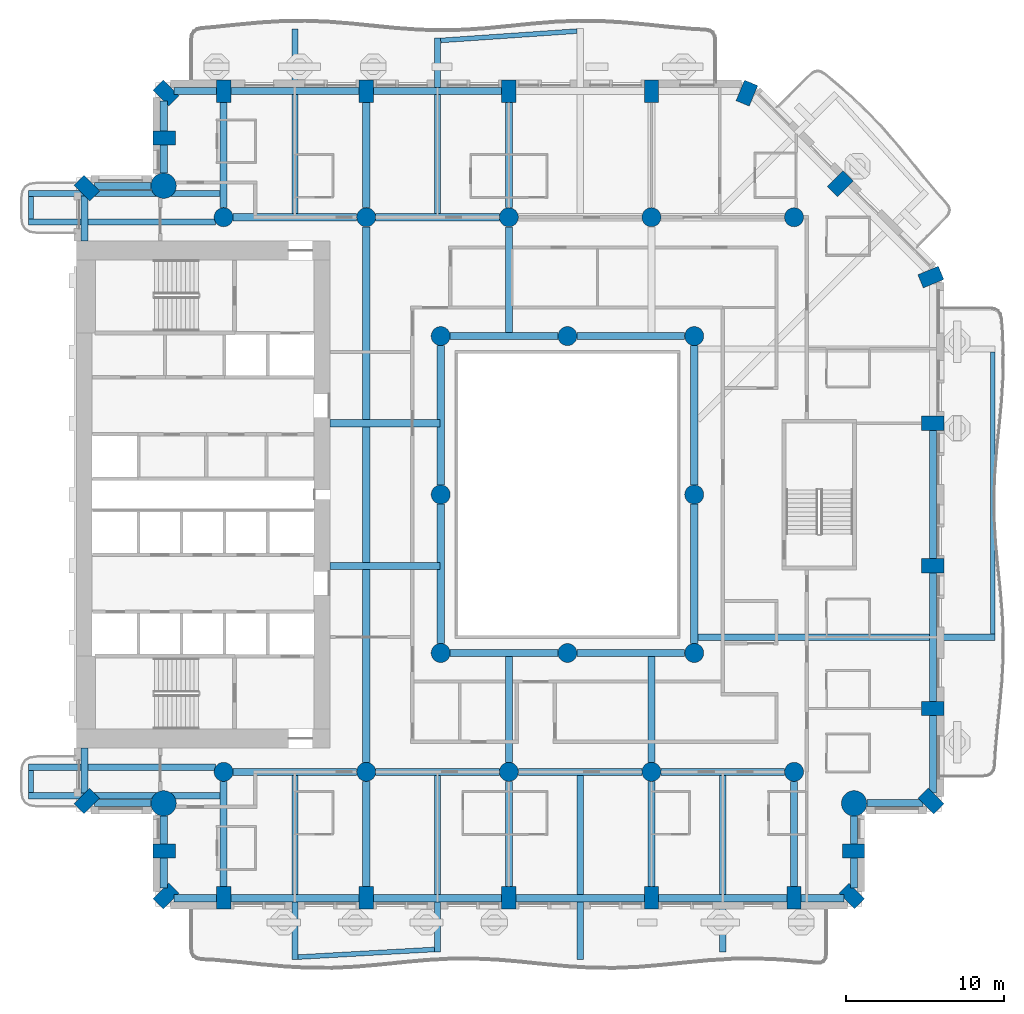
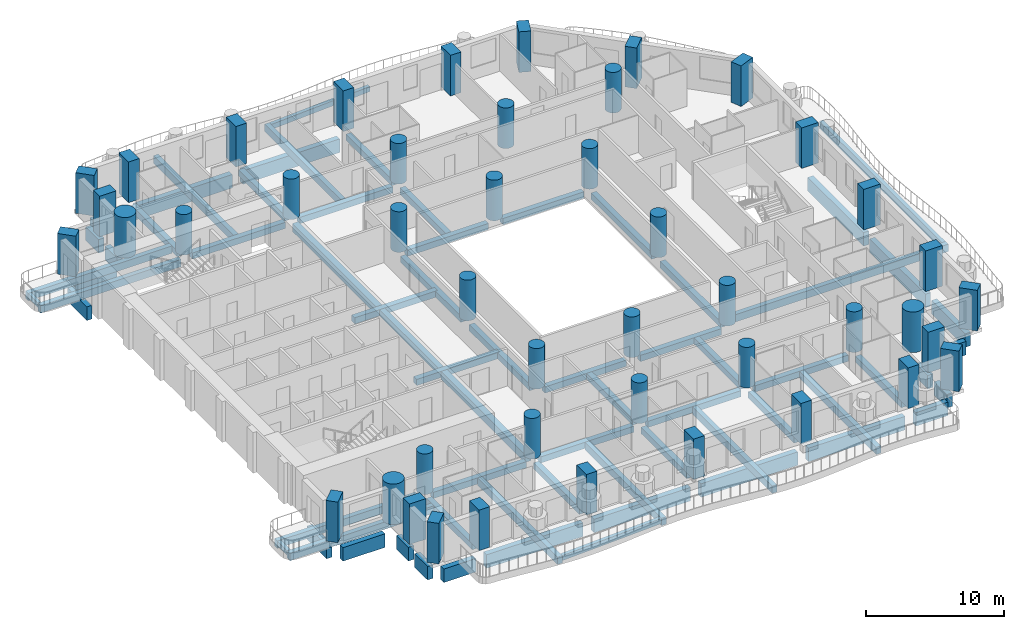
# One storey, part 1 of 20: 69 beams, 45 columns.
"""IFC4 building model written with IfcOpenShell, lengths in metres."""

from ifc_helpers import new_model, si_unit, direction, frame, origin, origin_2d, place, context, subcontext, project, spatial, rectangle, circle, extrude, material, material_profile, profile_set, type_object, element, save


model = new_model("IFC4")

# Units and contexts
model_context = context("Model", 3, precision=1e-05, world=origin(), true_north=direction((0.0, 1.0)))
body_context = subcontext(model_context, "Body", "Model", "MODEL_VIEW")
ifc_project = project(units=[si_unit("LENGTHUNIT", "METRE"), si_unit("AREAUNIT", "SQUARE_METRE"), si_unit("VOLUMEUNIT", "CUBIC_METRE"), si_unit("PLANEANGLEUNIT", "RADIAN"), si_unit("MASSUNIT", "GRAM", prefix="KILO")], contexts=[model_context])

# Site, building, storey
site_placement = place(None, origin())
site = spatial("IfcSite", under=ifc_project, at=site_placement, CompositionType="ELEMENT")
building_placement = place(site_placement, origin())
building = spatial("IfcBuilding", under=site, at=building_placement, Name="Cypress Arch Tower", CompositionType="ELEMENT")
storey_placement = place(building_placement, frame((0.0, 0.0, 87.89990234375)))
storey = spatial("IfcBuildingStorey", under=building, at=storey_placement, Name="L16", CompositionType="ELEMENT", Elevation=87.89990234375)

# Columns
ifc_material_1 = material(Name="Concrete C80/95", Category="concrete")
ifc_material_profile_1 = material_profile(ifc_material_1, rectangle(XDim=0.89990234375, YDim=1.39990234375, at=origin_2d()), Name="RC 900x1400")
ifc_profile_set_1 = profile_set([ifc_material_profile_1], Name="Concrete C80/95")
column_type_1 = type_object("IfcColumnType", Name="Column RC 900x1400 Concrete C80/95", PredefinedType="COLUMN", material=ifc_profile_set_1)
for number, where, z_axis, x_axis, name in (
    (1, (-29.3369140625, 19.3369140625, 0.0), (0.0, 0.0, 1.0), (-0.707106781187, -0.707106781187, 0.0), "Column L16 CA00"),
    (2, (-29.3369140625, -19.3369140625, 0.0), (0.0, 0.0, 1.0), (0.707106781187, -0.707106781187, 0.0), "Column L16 CA01"),
    (3, (-24.449951171875, -22.5, 0.0), (0.0, 0.0, 1.0), (0.0, -1.0, 0.0), "Column L16 CA03"),
    (4, (-24.3369140625, -25.3369140625, 0.0), (0.0, 0.0, 1.0), (0.707106781187, -0.707106781187, 0.0), "Column L16 CA04"),
    (5, (-20.699951171875, -25.449951171875, 0.0), (0.0, 0.0, 1.0), (1.0, 0.0, 0.0), "Column L16 CA05"),
    (6, (-11.699951171875, -25.449951171875, 0.0), (0.0, 0.0, 1.0), (1.0, 0.0, 0.0), "Column L16 CA06"),
    (7, (-2.699951171875, -25.449951171875, 0.0), (0.0, 0.0, 1.0), (1.0, 0.0, 0.0), "Column L16 CA07"),
    (8, (6.300048828125, -25.449951171875, 0.0), (0.0, 0.0, 1.0), (1.0, 0.0, 0.0), "Column L16 CA08"),
    (9, (15.300048828125, -25.449951171875, 0.0), (0.0, 0.0, 1.0), (1.0, 0.0, 0.0), "Column L16 CA09"),
    (10, (18.936767578125, -25.3369140625, 0.0), (0.0, 0.0, 1.0), (0.707106781187, 0.707106781187, 0.0), "Column L16 CA10"),
    (11, (19.050048828125, -22.5, 0.0), (0.0, 0.0, 1.0), (0.0, 1.0, 0.0), "Column L16 CA11"),
    (12, (23.936767578125, -19.3369140625, 0.0), (0.0, 0.0, 1.0), (0.707106781187, 0.707106781187, 0.0), "Column L16 CA13"),
    (13, (24.050048828125, -13.5, 0.0), (0.0, 0.0, 1.0), (0.0, 1.0, 0.0), "Column L16 CA14"),
    (14, (24.050048828125, -4.5, 0.0), (0.0, 0.0, 1.0), (0.0, 1.0, 0.0), "Column L16 CA15"),
    (15, (24.050048828125, 4.5, 0.0), (0.0, 0.0, 1.0), (0.0, 1.0, 0.0), "Column L16 CA16"),
    (16, (23.93115234375, 13.722900390625, 0.0), (0.0, 0.0, 1.0), (-0.382683496864, 0.923879505795, 0.0), "Column L16 CA17"),
    (17, (18.211181640625, 19.611083984375, 0.0), (0.0, 0.0, 1.0), (-0.707106781187, 0.707106781187, 0.0), "Column L16 CA18"),
    (18, (12.322998046875, 25.3310546875, 0.0), (0.0, 0.0, 1.0), (-0.923879505795, 0.382683496864, 0.0), "Column L16 CA19"),
    (19, (6.300048828125, 25.449951171875, 0.0), (0.0, 0.0, 1.0), (-1.0, 0.0, 0.0), "Column L16 CA20"),
    (20, (-2.699951171875, 25.449951171875, 0.0), (0.0, 0.0, 1.0), (-1.0, 0.0, 0.0), "Column L16 CA21"),
    (21, (-11.699951171875, 25.449951171875, 0.0), (0.0, 0.0, 1.0), (-1.0, 0.0, 0.0), "Column L16 CA22"),
    (22, (-20.699951171875, 25.449951171875, 0.0), (0.0, 0.0, 1.0), (-1.0, 0.0, 0.0), "Column L16 CA23"),
    (23, (-24.3369140625, 25.3369140625, 0.0), (0.0, 0.0, 1.0), (-0.707106781187, -0.707106781187, 0.0), "Column L16 CA24"),
    (24, (-24.449951171875, 22.5, 0.0), (0.0, 0.0, 1.0), (0.0, -1.0, 0.0), "Column L16 CA25"),
):
    element("IfcColumn", number, at=place(storey_placement, frame(where, z_axis=z_axis, x_axis=x_axis)), inside=storey, type_object=column_type_1, Name=name, PredefinedType="COLUMN", context=body_context, shape_type="SweptSolid", body=[
        extrude(rectangle(XDim=0.89990234375, YDim=1.39990234375, at=origin_2d()), origin(), (0.0, 0.0, 1.0), 3.60009765625),
    ])
ifc_material_2 = material(Name="Concrete C80/95", Category="concrete")
ifc_material_profile_2 = material_profile(ifc_material_2, circle(Radius=0.60009765625, at=origin_2d()), Name="RC D1200")
ifc_profile_set_2 = profile_set([ifc_material_profile_2], Name="Concrete C80/95")
column_type_2 = type_object("IfcColumnType", Name="Column RC D1200 Concrete C80/95", PredefinedType="COLUMN", material=ifc_profile_set_2)
for number, where, z_axis, x_axis, name in (
    (25, (-20.699951171875, -17.5, 0.0), (0.0, 0.0, 1.0), (1.0, 0.0, 0.0), "Column L16 CIC-L16-CI3S"),
    (26, (-11.699951171875, -17.5, 0.0), (0.0, 0.0, 1.0), (1.0, 0.0, 0.0), "Column L16 CIC-L16-CI4S"),
    (27, (-2.699951171875, -17.5, 0.0), (0.0, 0.0, 1.0), (1.0, 0.0, 0.0), "Column L16 CIC-L16-CI5S"),
    (28, (6.300048828125, -17.5, 0.0), (0.0, 0.0, 1.0), (1.0, 0.0, 0.0), "Column L16 CIC-L16-CI6S"),
    (29, (15.300048828125, -17.5, 0.0), (0.0, 0.0, 1.0), (1.0, 0.0, 0.0), "Column L16 CIC-L16-CI7S"),
    (30, (-20.699951171875, 17.5, 0.0), (0.0, 0.0, 1.0), (1.0, 0.0, 0.0), "Column L16 CIC-L16-CI3N"),
    (31, (-11.699951171875, 17.5, 0.0), (0.0, 0.0, 1.0), (1.0, 0.0, 0.0), "Column L16 CIC-L16-CI4N"),
    (32, (-2.699951171875, 17.5, 0.0), (0.0, 0.0, 1.0), (1.0, 0.0, 0.0), "Column L16 CIC-L16-CI5N"),
    (33, (6.300048828125, 17.5, 0.0), (0.0, 0.0, 1.0), (1.0, 0.0, 0.0), "Column L16 CIC-L16-CI6N"),
    (34, (15.300048828125, 17.5, 0.0), (0.0, 0.0, 1.0), (1.0, 0.0, 0.0), "Column L16 CIC-L16-CI7N"),
    (35, (-7.0, -10.0, 0.0), (0.0, 0.0, 1.0), (1.0, 0.0, 0.0), "Column L16 RNG-L16-G-7-10"),
    (36, (-7.0, 0.0, 0.0), (0.0, 0.0, 1.0), (1.0, 0.0, 0.0), "Column L16 RNG-L16-G-7+0"),
    (37, (-7.0, 10.0, 0.0), (0.0, 0.0, 1.0), (1.0, 0.0, 0.0), "Column L16 RNG-L16-G-7+10"),
    (38, (1.0, -10.0, 0.0), (0.0, 0.0, 1.0), (1.0, 0.0, 0.0), "Column L16 RNG-L16-G+1-10"),
    (39, (1.0, 10.0, 0.0), (0.0, 0.0, 1.0), (1.0, 0.0, 0.0), "Column L16 RNG-L16-G+1+10"),
    (40, (9.0, -10.0, 0.0), (0.0, 0.0, 1.0), (1.0, 0.0, 0.0), "Column L16 RNG-L16-G+9-10"),
    (41, (9.0, 0.0, 0.0), (0.0, 0.0, 1.0), (1.0, 0.0, 0.0), "Column L16 RNG-L16-G+9+0"),
    (42, (9.0, 10.0, 0.0), (0.0, 0.0, 1.0), (1.0, 0.0, 0.0), "Column L16 RNG-L16-G+9+10"),
):
    element("IfcColumn", number, at=place(storey_placement, frame(where, z_axis=z_axis, x_axis=x_axis)), inside=storey, type_object=column_type_2, Name=name, PredefinedType="COLUMN", context=body_context, shape_type="SweptSolid", body=[
        extrude(circle(Radius=0.60009765625, at=origin_2d()), origin(), (0.0, 0.0, 1.0), 3.60009765625),
    ])
ifc_material_3 = material(Name="Concrete C80/95", Category="concrete")
ifc_material_profile_3 = material_profile(ifc_material_3, circle(Radius=0.800048828125, at=origin_2d()), Name="RC D1600")
ifc_profile_set_3 = profile_set([ifc_material_profile_3], Name="Concrete C80/95")
column_type_3 = type_object("IfcColumnType", Name="Mega-column RC D1600 Concrete C80/95", PredefinedType="COLUMN", material=ifc_profile_set_3)
for number, where, z_axis, x_axis, name in (
    (43, (-24.48779296875, -19.48779296875, 0.0), (0.0, 0.0, 1.0), (1.0, 0.0, 0.0), "Column L16 CA02"),
    (44, (19.087890625, -19.48779296875, 0.0), (0.0, 0.0, 1.0), (1.0, 0.0, 0.0), "Column L16 CA12"),
    (45, (-24.48779296875, 19.48779296875, 0.0), (0.0, 0.0, 1.0), (1.0, 0.0, 0.0), "Column L16 CA26"),
):
    element("IfcColumn", number, at=place(storey_placement, frame(where, z_axis=z_axis, x_axis=x_axis)), inside=storey, type_object=column_type_3, Name=name, PredefinedType="COLUMN", context=body_context, shape_type="SweptSolid", body=[
        extrude(circle(Radius=0.800048828125, at=origin_2d()), origin(), (0.0, 0.0, 1.0), 3.60009765625),
    ])

# Beams
ifc_material_4 = material(Name="Concrete C50/60", Category="concrete")
ifc_material_profile_4 = material_profile(ifc_material_4, rectangle(XDim=0.300048828125, YDim=0.449951171875, at=origin_2d()), Name="RC 300x450")
ifc_profile_set_4 = profile_set([ifc_material_profile_4], Name="Concrete C50/60")
beam_type_1 = type_object("IfcBeamType", Name="Balcony edge beam RC 300x450 Concrete C50/60", PredefinedType="BEAM", material=ifc_profile_set_4)
beam_1_placement = place(storey_placement, frame((-16.0, -29.1904296875, -0.52490234375), z_axis=(0.998441457852, 0.055809096421, 0.0), x_axis=(-0.055809096421, 0.998441457852, 0.0)))
element("IfcBeam", 46, at=beam_1_placement, inside=storey, type_object=beam_type_1, Name="Balcony edge beam L16 A03", PredefinedType="BEAM", context=body_context, shape_type="SweptSolid", body=[
    extrude(rectangle(XDim=0.300048828125, YDim=0.449951171875, at=origin_2d()), origin(), (0.0, 0.0, 1.0), 8.613525390625),
])
beam_2_placement = place(storey_placement, frame((1.60009765625, 29.246337890625, -0.52490234375), z_axis=(-0.997663993213, -0.068312199842, 0.0), x_axis=(0.068312199842, -0.997663993213, 0.0)))
element("IfcBeam", 47, at=beam_2_placement, inside=storey, type_object=beam_type_1, Name="Balcony edge beam L16 A08", PredefinedType="BEAM", context=body_context, shape_type="SweptSolid", body=[
    extrude(rectangle(XDim=0.300048828125, YDim=0.449951171875, at=origin_2d()), origin(), (0.0, 0.0, 1.0), 8.6201171875),
])
ifc_material_5 = material(Name="Concrete C50/60", Category="concrete")
ifc_material_profile_5 = material_profile(ifc_material_5, rectangle(XDim=0.300048828125, YDim=0.64990234375, at=origin_2d()), Name="RC 300x650")
ifc_profile_set_5 = profile_set([ifc_material_profile_5], Name="Concrete C50/60")
beam_type_2 = type_object("IfcBeamType", Name="Balcony edge beam RC 300x650 Concrete C50/60", PredefinedType="BEAM", material=ifc_profile_set_5)
beam_3_placement = place(storey_placement, frame((27.843017578125, -8.800048828125, -0.625), z_axis=(-0.000494104992, 0.99999987793, 0.0), x_axis=(-0.99999987793, -0.000494104992, 0.0)))
element("IfcBeam", 48, at=beam_3_placement, inside=storey, type_object=beam_type_2, Name="Balcony edge beam L16 A06", PredefinedType="BEAM", context=body_context, shape_type="SweptSolid", body=[
    extrude(rectangle(XDim=0.300048828125, YDim=0.64990234375, at=origin_2d()), origin(), (0.0, 0.0, 1.0), 17.787841796875),
])
ifc_material_6 = material(Name="Concrete C50/60", Category="concrete")
ifc_material_profile_6 = material_profile(ifc_material_6, rectangle(XDim=0.300048828125, YDim=0.39990234375, at=origin_2d()), Name="RC 300x400")
ifc_profile_set_6 = profile_set([ifc_material_profile_6], Name="Concrete C50/60")
beam_type_3 = type_object("IfcBeamType", Name="Balcony stub beam RC 300x400 Concrete C50/60", PredefinedType="BEAM", material=ifc_profile_set_6)
for number, where, z_axis, x_axis, name in (
    (49, (-32.85009765625, 18.800048828125, -0.5), (0.0, -1.0, 0.0), (1.0, 0.0, 0.0), "Balcony stub beam L16 A00W0"),
    (50, (-32.85009765625, -17.39990234375, -0.5), (0.0, -1.0, 0.0), (1.0, 0.0, 0.0), "Balcony stub beam L16 A00W1"),
):
    element("IfcBeam", number, at=place(storey_placement, frame(where, z_axis=z_axis, x_axis=x_axis)), inside=storey, type_object=beam_type_3, Name=name, PredefinedType="BEAM", context=body_context, shape_type="SweptSolid", body=[
        extrude(rectangle(XDim=0.300048828125, YDim=0.39990234375, at=origin_2d()), origin(), (0.0, 0.0, 1.0), 1.400146484375),
    ])
ifc_material_7 = material(Name="Concrete C50/60", Category="concrete")
ifc_material_profile_7 = material_profile(ifc_material_7, rectangle(XDim=0.39990234375, YDim=0.64990234375, at=origin_2d()), Name="RC 400x650")
ifc_profile_set_7 = profile_set([ifc_material_profile_7], Name="Concrete C50/60")
beam_type_4 = type_object("IfcBeamType", Name="Cantilever beam RC 400x650 Concrete C50/60", PredefinedType="BEAM", material=ifc_profile_set_7)
beam_4_placement = place(storey_placement, frame((-20.925048828125, 19.0, -0.625), z_axis=(-1.0, 0.0, 0.0), x_axis=(0.0, -1.0, 0.0)))
element("IfcBeam", 51, at=beam_4_placement, inside=storey, type_object=beam_type_4, Name="Cantilever beam L16 A00 1", PredefinedType="BEAM", context=body_context, shape_type="SweptSolid", body=[
    extrude(rectangle(XDim=0.39990234375, YDim=0.64990234375, at=origin_2d()), origin(), (0.0, 0.0, 1.0), 12.074951171875),
])
for number, where, z_axis, x_axis, name in (
    (52, (-21.219482421875, 17.199951171875, -0.625), (-1.0, 0.0, 0.0), (0.0, -1.0, 0.0), "Cantilever beam L16 A00 2"),
    (53, (-21.219482421875, -17.199951171875, -0.625), (-1.0, 0.0, 0.0), (0.0, -1.0, 0.0), "Cantilever beam L16 A00 1"),
):
    element("IfcBeam", number, at=place(storey_placement, frame(where, z_axis=z_axis, x_axis=x_axis)), inside=storey, type_object=beam_type_4, Name=name, PredefinedType="BEAM", context=body_context, shape_type="SweptSolid", body=[
        extrude(rectangle(XDim=0.39990234375, YDim=0.64990234375, at=origin_2d()), origin(), (0.0, 0.0, 1.0), 11.780517578125),
    ])
beam_5_placement = place(storey_placement, frame((-20.925048828125, -19.0, -0.625), z_axis=(-1.0, 0.0, 0.0), x_axis=(0.0, -1.0, 0.0)))
element("IfcBeam", 54, at=beam_5_placement, inside=storey, type_object=beam_type_4, Name="Cantilever beam L16 A00 2", PredefinedType="BEAM", context=body_context, shape_type="SweptSolid", body=[
    extrude(rectangle(XDim=0.39990234375, YDim=0.64990234375, at=origin_2d()), origin(), (0.0, 0.0, 1.0), 12.074951171875),
])
beam_6_placement = place(storey_placement, frame((-16.199951171875, -17.72509765625, -0.625), z_axis=(0.0, -1.0, 0.0), x_axis=(1.0, 0.0, 0.0)))
element("IfcBeam", 55, at=beam_6_placement, inside=storey, type_object=beam_type_4, Name="Cantilever beam L16 A03 1", PredefinedType="BEAM", context=body_context, shape_type="SweptSolid", body=[
    extrude(rectangle(XDim=0.39990234375, YDim=0.64990234375, at=origin_2d()), origin(), (0.0, 0.0, 1.0), 11.615478515625),
])
beam_7_placement = place(storey_placement, frame((-7.199951171875, -17.72509765625, -0.625), z_axis=(0.0, -1.0, 0.0), x_axis=(1.0, 0.0, 0.0)))
element("IfcBeam", 56, at=beam_7_placement, inside=storey, type_object=beam_type_4, Name="Cantilever beam L16 A03 2", PredefinedType="BEAM", context=body_context, shape_type="SweptSolid", body=[
    extrude(rectangle(XDim=0.39990234375, YDim=0.64990234375, at=origin_2d()), origin(), (0.0, 0.0, 1.0), 11.134521484375),
])
beam_8_placement = place(storey_placement, frame((1.800048828125, -17.72509765625, -0.625), z_axis=(0.0, -1.0, 0.0), x_axis=(1.0, 0.0, 0.0)))
element("IfcBeam", 57, at=beam_8_placement, inside=storey, type_object=beam_type_4, Name="Cantilever beam L16 A03 3", PredefinedType="BEAM", context=body_context, shape_type="SweptSolid", body=[
    extrude(rectangle(XDim=0.39990234375, YDim=0.64990234375, at=origin_2d()), origin(), (0.0, 0.0, 1.0), 11.615478515625),
])
beam_9_placement = place(storey_placement, frame((10.800048828125, -17.72509765625, -0.625), z_axis=(0.0, -1.0, 0.0), x_axis=(1.0, 0.0, 0.0)))
element("IfcBeam", 58, at=beam_9_placement, inside=storey, type_object=beam_type_4, Name="Cantilever beam L16 A03 4", PredefinedType="BEAM", context=body_context, shape_type="SweptSolid", body=[
    extrude(rectangle(XDim=0.39990234375, YDim=0.64990234375, at=origin_2d()), origin(), (0.0, 0.0, 1.0), 11.134033203125),
])
beam_10_placement = place(storey_placement, frame((9.22509765625, -9.0, -0.625), z_axis=(1.0, 0.0, 0.0), x_axis=(0.0, 1.0, 0.0)))
element("IfcBeam", 59, at=beam_10_placement, inside=storey, type_object=beam_type_4, Name="Cantilever beam L16 A06 1", PredefinedType="BEAM", context=body_context, shape_type="SweptSolid", body=[
    extrude(rectangle(XDim=0.39990234375, YDim=0.64990234375, at=origin_2d()), origin(), (0.0, 0.0, 1.0), 18.767822265625),
])
beam_11_placement = place(storey_placement, frame((-7.199951171875, 17.72509765625, -0.625), z_axis=(0.0, 1.0, 0.0), x_axis=(-1.0, 0.0, 0.0)))
element("IfcBeam", 60, at=beam_11_placement, inside=storey, type_object=beam_type_4, Name="Cantilever beam L16 A08 2", PredefinedType="BEAM", context=body_context, shape_type="SweptSolid", body=[
    extrude(rectangle(XDim=0.39990234375, YDim=0.64990234375, at=origin_2d()), origin(), (0.0, 0.0, 1.0), 11.082275390625),
])
beam_12_placement = place(storey_placement, frame((-16.199951171875, 17.72509765625, -0.625), z_axis=(0.0, 1.0, 0.0), x_axis=(-1.0, 0.0, 0.0)))
element("IfcBeam", 61, at=beam_12_placement, inside=storey, type_object=beam_type_4, Name="Cantilever beam L16 A08 3", PredefinedType="BEAM", context=body_context, shape_type="SweptSolid", body=[
    extrude(rectangle(XDim=0.39990234375, YDim=0.64990234375, at=origin_2d()), origin(), (0.0, 0.0, 1.0), 11.6640625),
])
ifc_material_8 = material(Name="Concrete C50/60", Category="concrete")
ifc_material_profile_8 = material_profile(ifc_material_8, rectangle(XDim=0.449951171875, YDim=0.550048828125, at=origin_2d()), Name="RC 450x550")
ifc_profile_set_8 = profile_set([ifc_material_profile_8], Name="Concrete C50/60")
beam_type_5 = type_object("IfcBeamType", Name="Floor beam RC 450x550 Concrete C50/60", PredefinedType="BEAM", material=ifc_profile_set_8)
for number, where, z_axis, x_axis, name in (
    (62, (-7.0, -9.39990234375, -0.574951171875), (0.0, 1.0, 0.0), (-1.0, 0.0, 0.0), "Floor beam L16 RB001"),
    (63, (-7.0, 0.60009765625, -0.574951171875), (0.0, 1.0, 0.0), (-1.0, 0.0, 0.0), "Floor beam L16 RB002"),
    (64, (9.0, -9.39990234375, -0.574951171875), (0.0, 1.0, 0.0), (-1.0, 0.0, 0.0), "Floor beam L16 RB003"),
    (65, (9.0, 0.60009765625, -0.574951171875), (0.0, 1.0, 0.0), (-1.0, 0.0, 0.0), "Floor beam L16 RB004"),
):
    element("IfcBeam", number, at=place(storey_placement, frame(where, z_axis=z_axis, x_axis=x_axis)), inside=storey, type_object=beam_type_5, Name=name, PredefinedType="BEAM", context=body_context, shape_type="SweptSolid", body=[
        extrude(rectangle(XDim=0.449951171875, YDim=0.550048828125, at=origin_2d()), origin(), (0.0, 0.0, 1.0), 8.7998046875),
    ])
for number, where, z_axis, x_axis, name in (
    (66, (-6.39990234375, -10.0, -0.574951171875), (1.0, 0.0, 0.0), (0.0, 1.0, 0.0), "Floor beam L16 RB005"),
    (67, (1.60009765625, -10.0, -0.574951171875), (1.0, 0.0, 0.0), (0.0, 1.0, 0.0), "Floor beam L16 RB006"),
    (68, (-6.39990234375, 10.0, -0.574951171875), (1.0, 0.0, 0.0), (0.0, 1.0, 0.0), "Floor beam L16 RB007"),
    (69, (1.60009765625, 10.0, -0.574951171875), (1.0, 0.0, 0.0), (0.0, 1.0, 0.0), "Floor beam L16 RB008"),
):
    element("IfcBeam", number, at=place(storey_placement, frame(where, z_axis=z_axis, x_axis=x_axis)), inside=storey, type_object=beam_type_5, Name=name, PredefinedType="BEAM", context=body_context, shape_type="SweptSolid", body=[
        extrude(rectangle(XDim=0.449951171875, YDim=0.550048828125, at=origin_2d()), origin(), (0.0, 0.0, 1.0), 6.7998046875),
    ])
for number, where, z_axis, x_axis, name in (
    (70, (-20.10009765625, -17.5, -0.574951171875), (1.0, 0.0, 0.0), (0.0, 1.0, 0.0), "Floor beam L16 FB009"),
    (71, (-11.10009765625, -17.5, -0.574951171875), (1.0, 0.0, 0.0), (0.0, 1.0, 0.0), "Floor beam L16 FB010"),
    (72, (-2.10009765625, -17.5, -0.574951171875), (1.0, 0.0, 0.0), (0.0, 1.0, 0.0), "Floor beam L16 FB011"),
    (73, (6.89990234375, -17.5, -0.574951171875), (1.0, 0.0, 0.0), (0.0, 1.0, 0.0), "Floor beam L16 FB012"),
):
    element("IfcBeam", number, at=place(storey_placement, frame(where, z_axis=z_axis, x_axis=x_axis)), inside=storey, type_object=beam_type_5, Name=name, PredefinedType="BEAM", context=body_context, shape_type="SweptSolid", body=[
        extrude(rectangle(XDim=0.449951171875, YDim=0.550048828125, at=origin_2d()), origin(), (0.0, 0.0, 1.0), 7.800048828125),
    ])
for number, where, z_axis, x_axis, name in (
    (74, (-14.0, -4.5, -0.574951171875), (1.0, 0.0, 0.0), (0.0, 1.0, 0.0), "Floor beam L16 FB013"),
    (75, (-14.0, 4.5, -0.574951171875), (1.0, 0.0, 0.0), (0.0, 1.0, 0.0), "Floor beam L16 FB014"),
):
    element("IfcBeam", number, at=place(storey_placement, frame(where, z_axis=z_axis, x_axis=x_axis)), inside=storey, type_object=beam_type_5, Name=name, PredefinedType="BEAM", context=body_context, shape_type="SweptSolid", body=[
        extrude(rectangle(XDim=0.449951171875, YDim=0.550048828125, at=origin_2d()), origin(), (0.0, 0.0, 1.0), 6.949951171875),
    ])
for number, where, z_axis, x_axis, name in (
    (76, (-20.10009765625, 17.5, -0.574951171875), (1.0, 0.0, 0.0), (0.0, 1.0, 0.0), "Floor beam L16 FB015"),
    (77, (-11.10009765625, 17.5, -0.574951171875), (1.0, 0.0, 0.0), (0.0, 1.0, 0.0), "Floor beam L16 FB016"),
):
    element("IfcBeam", number, at=place(storey_placement, frame(where, z_axis=z_axis, x_axis=x_axis)), inside=storey, type_object=beam_type_5, Name=name, PredefinedType="BEAM", context=body_context, shape_type="SweptSolid", body=[
        extrude(rectangle(XDim=0.449951171875, YDim=0.550048828125, at=origin_2d()), origin(), (0.0, 0.0, 1.0), 7.800048828125),
    ])
for number, where, z_axis, x_axis, name in (
    (78, (-20.699951171875, -24.75, -0.574951171875), (0.0, 1.0, 0.0), (-1.0, 0.0, 0.0), "Floor beam L16 FB019"),
    (79, (-20.699951171875, 18.10009765625, -0.574951171875), (0.0, 1.0, 0.0), (-1.0, 0.0, 0.0), "Floor beam L16 FB020"),
    (80, (-11.699951171875, -24.75, -0.574951171875), (0.0, 1.0, 0.0), (-1.0, 0.0, 0.0), "Floor beam L16 FB021"),
):
    element("IfcBeam", number, at=place(storey_placement, frame(where, z_axis=z_axis, x_axis=x_axis)), inside=storey, type_object=beam_type_5, Name=name, PredefinedType="BEAM", context=body_context, shape_type="SweptSolid", body=[
        extrude(rectangle(XDim=0.449951171875, YDim=0.550048828125, at=origin_2d()), origin(), (0.0, 0.0, 1.0), 6.64990234375),
    ])
beam_13_placement = place(storey_placement, frame((-11.699951171875, -4.27490234375, -0.574951171875), z_axis=(0.0, 1.0, 0.0), x_axis=(-1.0, 0.0, 0.0)))
element("IfcBeam", 81, at=beam_13_placement, inside=storey, type_object=beam_type_5, Name="Floor beam L16 FB023", PredefinedType="BEAM", context=body_context, shape_type="SweptSolid", body=[
    extrude(rectangle(XDim=0.449951171875, YDim=0.550048828125, at=origin_2d()), origin(), (0.0, 0.0, 1.0), 8.5498046875),
])
for number, where, z_axis, x_axis, name in (
    (82, (-11.699951171875, 18.10009765625, -0.574951171875), (0.0, 1.0, 0.0), (-1.0, 0.0, 0.0), "Floor beam L16 FB025"),
    (83, (-2.699951171875, -24.75, -0.574951171875), (0.0, 1.0, 0.0), (-1.0, 0.0, 0.0), "Floor beam L16 FB026"),
):
    element("IfcBeam", number, at=place(storey_placement, frame(where, z_axis=z_axis, x_axis=x_axis)), inside=storey, type_object=beam_type_5, Name=name, PredefinedType="BEAM", context=body_context, shape_type="SweptSolid", body=[
        extrude(rectangle(XDim=0.449951171875, YDim=0.550048828125, at=origin_2d()), origin(), (0.0, 0.0, 1.0), 6.64990234375),
    ])
for number, where, z_axis, x_axis, name in (
    (84, (-2.699951171875, -16.89990234375, -0.574951171875), (0.0, 1.0, 0.0), (-1.0, 0.0, 0.0), "Floor beam L16 FB027"),
    (85, (-2.699951171875, 10.22509765625, -0.574951171875), (0.0, 1.0, 0.0), (-1.0, 0.0, 0.0), "Floor beam L16 FB028"),
):
    element("IfcBeam", number, at=place(storey_placement, frame(where, z_axis=z_axis, x_axis=x_axis)), inside=storey, type_object=beam_type_5, Name=name, PredefinedType="BEAM", context=body_context, shape_type="SweptSolid", body=[
        extrude(rectangle(XDim=0.449951171875, YDim=0.550048828125, at=origin_2d()), origin(), (0.0, 0.0, 1.0), 6.6748046875),
    ])
for number, where, z_axis, x_axis, name in (
    (86, (-2.699951171875, 18.10009765625, -0.574951171875), (0.0, 1.0, 0.0), (-1.0, 0.0, 0.0), "Floor beam L16 FB029"),
    (87, (6.300048828125, -24.75, -0.574951171875), (0.0, 1.0, 0.0), (-1.0, 0.0, 0.0), "Floor beam L16 FB030"),
):
    element("IfcBeam", number, at=place(storey_placement, frame(where, z_axis=z_axis, x_axis=x_axis)), inside=storey, type_object=beam_type_5, Name=name, PredefinedType="BEAM", context=body_context, shape_type="SweptSolid", body=[
        extrude(rectangle(XDim=0.449951171875, YDim=0.550048828125, at=origin_2d()), origin(), (0.0, 0.0, 1.0), 6.64990234375),
    ])
beam_14_placement = place(storey_placement, frame((6.300048828125, -16.89990234375, -0.574951171875), z_axis=(0.0, 1.0, 0.0), x_axis=(-1.0, 0.0, 0.0)))
element("IfcBeam", 88, at=beam_14_placement, inside=storey, type_object=beam_type_5, Name="Floor beam L16 FB031", PredefinedType="BEAM", context=body_context, shape_type="SweptSolid", body=[
    extrude(rectangle(XDim=0.449951171875, YDim=0.550048828125, at=origin_2d()), origin(), (0.0, 0.0, 1.0), 6.6748046875),
])
beam_15_placement = place(storey_placement, frame((15.300048828125, -24.75, -0.574951171875), z_axis=(0.0, 1.0, 0.0), x_axis=(-1.0, 0.0, 0.0)))
element("IfcBeam", 89, at=beam_15_placement, inside=storey, type_object=beam_type_5, Name="Floor beam L16 FB034", PredefinedType="BEAM", context=body_context, shape_type="SweptSolid", body=[
    extrude(rectangle(XDim=0.449951171875, YDim=0.550048828125, at=origin_2d()), origin(), (0.0, 0.0, 1.0), 6.64990234375),
])
ifc_material_9 = material(Name="Concrete C50/60", Category="concrete")
ifc_material_profile_9 = material_profile(ifc_material_9, rectangle(XDim=0.5, YDim=0.699951171875, at=origin_2d()), Name="RC 500x700")
ifc_profile_set_9 = profile_set([ifc_material_profile_9], Name="Concrete C50/60")
beam_type_6 = type_object("IfcBeamType", Name="Floor beam RC 500x700 Concrete C50/60", PredefinedType="BEAM", material=ifc_profile_set_9)
for number, where, z_axis, x_axis, name in (
    (90, (-11.699951171875, -16.89990234375, -0.64990234375), (0.0, 1.0, 0.0), (-1.0, 0.0, 0.0), "Floor beam L16 FB022"),
    (91, (-11.699951171875, 4.72509765625, -0.64990234375), (0.0, 1.0, 0.0), (-1.0, 0.0, 0.0), "Floor beam L16 FB024"),
):
    element("IfcBeam", number, at=place(storey_placement, frame(where, z_axis=z_axis, x_axis=x_axis)), inside=storey, type_object=beam_type_6, Name=name, PredefinedType="BEAM", context=body_context, shape_type="SweptSolid", body=[
        extrude(rectangle(XDim=0.5, YDim=0.699951171875, at=origin_2d()), origin(), (0.0, 0.0, 1.0), 12.1748046875),
    ])
ifc_material_10 = material(Name="Concrete C50/60", Category="concrete")
ifc_material_profile_10 = material_profile(ifc_material_10, rectangle(XDim=0.449951171875, YDim=1.199951171875, at=origin_2d()), Name="RC 450x1200")
ifc_profile_set_10 = profile_set([ifc_material_profile_10], Name="Concrete C50/60")
beam_type_7 = type_object("IfcBeamType", Name="Spandrel beam RC 450x1200 Concrete C50/60", PredefinedType="SPANDREL", material=ifc_profile_set_10)
for number, where, z_axis, x_axis, name in (
    (92, (-29.47509765625, 18.838623046875, -1.5498046875), (0.0, -1.0, 0.0), (1.0, 0.0, 0.0), "Spandrel beam L16 BA00-0"),
    (93, (-29.47509765625, -16.0, -1.5498046875), (0.0, -1.0, 0.0), (1.0, 0.0, 0.0), "Spandrel beam L16 BA00-0"),
):
    element("IfcBeam", number, at=place(storey_placement, frame(where, z_axis=z_axis, x_axis=x_axis)), inside=storey, type_object=beam_type_7, Name=name, PredefinedType="SPANDREL", context=body_context, shape_type="SweptSolid", body=[
        extrude(rectangle(XDim=0.449951171875, YDim=1.199951171875, at=origin_2d()), origin(), (0.0, 0.0, 1.0), 2.838623046875),
    ])
beam_16_placement = place(storey_placement, frame((-28.838623046875, -19.47509765625, -1.5498046875), z_axis=(1.0, 0.0, 0.0), x_axis=(0.0, 1.0, 0.0)))
element("IfcBeam", 94, at=beam_16_placement, inside=storey, type_object=beam_type_7, Name="Spandrel beam L16 BA01-0", PredefinedType="SPANDREL", context=body_context, shape_type="SweptSolid", body=[
    extrude(rectangle(XDim=0.449951171875, YDim=1.199951171875, at=origin_2d()), origin(), (0.0, 0.0, 1.0), 3.551025390625),
])
beam_17_placement = place(storey_placement, frame((-24.47509765625, -20.28759765625, -1.5498046875), z_axis=(0.0, -1.0, 0.0), x_axis=(1.0, 0.0, 0.0)))
element("IfcBeam", 95, at=beam_17_placement, inside=storey, type_object=beam_type_7, Name="Spandrel beam L16 BA02-0", PredefinedType="SPANDREL", context=body_context, shape_type="SweptSolid", body=[
    extrude(rectangle(XDim=0.449951171875, YDim=1.199951171875, at=origin_2d()), origin(), (0.0, 0.0, 1.0), 1.762451171875),
])
beam_18_placement = place(storey_placement, frame((-24.47509765625, -22.949951171875, -1.5498046875), z_axis=(0.0, -1.0, 0.0), x_axis=(1.0, 0.0, 0.0)))
element("IfcBeam", 96, at=beam_18_placement, inside=storey, type_object=beam_type_7, Name="Spandrel beam L16 BA02-1", PredefinedType="SPANDREL", context=body_context, shape_type="SweptSolid", body=[
    extrude(rectangle(XDim=0.449951171875, YDim=1.199951171875, at=origin_2d()), origin(), (0.0, 0.0, 1.0), 1.888671875),
])
beam_19_placement = place(storey_placement, frame((-23.838623046875, -25.47509765625, -1.5498046875), z_axis=(1.0, 0.0, 0.0), x_axis=(0.0, 1.0, 0.0)))
element("IfcBeam", 97, at=beam_19_placement, inside=storey, type_object=beam_type_7, Name="Spandrel beam L16 BA03-0", PredefinedType="SPANDREL", context=body_context, shape_type="SweptSolid", body=[
    extrude(rectangle(XDim=0.449951171875, YDim=1.199951171875, at=origin_2d()), origin(), (0.0, 0.0, 1.0), 2.688720703125),
])
for number, where, z_axis, x_axis, name in (
    (98, (-20.25, -25.47509765625, -1.5498046875), (1.0, 0.0, 0.0), (0.0, 1.0, 0.0), "Spandrel beam L16 BA03-1"),
    (99, (-11.25, -25.47509765625, -1.5498046875), (1.0, 0.0, 0.0), (0.0, 1.0, 0.0), "Spandrel beam L16 BA03-2"),
    (100, (-2.25, -25.47509765625, -1.5498046875), (1.0, 0.0, 0.0), (0.0, 1.0, 0.0), "Spandrel beam L16 BA03-3"),
    (101, (6.75, -25.47509765625, -1.5498046875), (1.0, 0.0, 0.0), (0.0, 1.0, 0.0), "Spandrel beam L16 BA03-4"),
):
    element("IfcBeam", number, at=place(storey_placement, frame(where, z_axis=z_axis, x_axis=x_axis)), inside=storey, type_object=beam_type_7, Name=name, PredefinedType="SPANDREL", context=body_context, shape_type="SweptSolid", body=[
        extrude(rectangle(XDim=0.449951171875, YDim=1.199951171875, at=origin_2d()), origin(), (0.0, 0.0, 1.0), 8.10009765625),
    ])
beam_20_placement = place(storey_placement, frame((15.75, -25.47509765625, -1.5498046875), z_axis=(1.0, 0.0, 0.0), x_axis=(0.0, 1.0, 0.0)))
element("IfcBeam", 102, at=beam_20_placement, inside=storey, type_object=beam_type_7, Name="Spandrel beam L16 BA03-5", PredefinedType="SPANDREL", context=body_context, shape_type="SweptSolid", body=[
    extrude(rectangle(XDim=0.449951171875, YDim=1.199951171875, at=origin_2d()), origin(), (0.0, 0.0, 1.0), 2.688720703125),
])
beam_21_placement = place(storey_placement, frame((19.074951171875, -24.838623046875, -1.5498046875), z_axis=(0.0, 1.0, 0.0), x_axis=(-1.0, 0.0, 0.0)))
element("IfcBeam", 103, at=beam_21_placement, inside=storey, type_object=beam_type_7, Name="Spandrel beam L16 BA04-0", PredefinedType="SPANDREL", context=body_context, shape_type="SweptSolid", body=[
    extrude(rectangle(XDim=0.449951171875, YDim=1.199951171875, at=origin_2d()), origin(), (0.0, 0.0, 1.0), 1.888671875),
])
beam_22_placement = place(storey_placement, frame((19.074951171875, -22.050048828125, -1.5498046875), z_axis=(0.0, 1.0, 0.0), x_axis=(-1.0, 0.0, 0.0)))
element("IfcBeam", 104, at=beam_22_placement, inside=storey, type_object=beam_type_7, Name="Spandrel beam L16 BA04-1", PredefinedType="SPANDREL", context=body_context, shape_type="SweptSolid", body=[
    extrude(rectangle(XDim=0.449951171875, YDim=1.199951171875, at=origin_2d()), origin(), (0.0, 0.0, 1.0), 1.762451171875),
])
beam_23_placement = place(storey_placement, frame((19.887451171875, -19.47509765625, -1.5498046875), z_axis=(1.0, 0.0, 0.0), x_axis=(0.0, 1.0, 0.0)))
element("IfcBeam", 105, at=beam_23_placement, inside=storey, type_object=beam_type_7, Name="Spandrel beam L16 BA05-0", PredefinedType="SPANDREL", context=body_context, shape_type="SweptSolid", body=[
    extrude(rectangle(XDim=0.449951171875, YDim=1.199951171875, at=origin_2d()), origin(), (0.0, 0.0, 1.0), 3.55126953125),
])
beam_24_placement = place(storey_placement, frame((24.074951171875, -18.838623046875, -1.5498046875), z_axis=(0.0, 1.0, 0.0), x_axis=(-1.0, 0.0, 0.0)))
element("IfcBeam", 106, at=beam_24_placement, inside=storey, type_object=beam_type_7, Name="Spandrel beam L16 BA06-0", PredefinedType="SPANDREL", context=body_context, shape_type="SweptSolid", body=[
    extrude(rectangle(XDim=0.449951171875, YDim=1.199951171875, at=origin_2d()), origin(), (0.0, 0.0, 1.0), 4.888671875),
])
for number, where, z_axis, x_axis, name in (
    (107, (24.074951171875, -13.050048828125, -1.5498046875), (0.0, 1.0, 0.0), (-1.0, 0.0, 0.0), "Spandrel beam L16 BA06-1"),
    (108, (24.074951171875, -4.050048828125, -1.5498046875), (0.0, 1.0, 0.0), (-1.0, 0.0, 0.0), "Spandrel beam L16 BA06-2"),
    (109, (-3.14990234375, 25.47509765625, -1.5498046875), (-1.0, 0.0, 0.0), (0.0, -1.0, 0.0), "Spandrel beam L16 BA08-2"),
    (110, (-12.14990234375, 25.47509765625, -1.5498046875), (-1.0, 0.0, 0.0), (0.0, -1.0, 0.0), "Spandrel beam L16 BA08-3"),
):
    element("IfcBeam", number, at=place(storey_placement, frame(where, z_axis=z_axis, x_axis=x_axis)), inside=storey, type_object=beam_type_7, Name=name, PredefinedType="SPANDREL", context=body_context, shape_type="SweptSolid", body=[
        extrude(rectangle(XDim=0.449951171875, YDim=1.199951171875, at=origin_2d()), origin(), (0.0, 0.0, 1.0), 8.10009765625),
    ])
beam_25_placement = place(storey_placement, frame((-21.14990234375, 25.47509765625, -1.5498046875), z_axis=(-1.0, 0.0, 0.0), x_axis=(0.0, -1.0, 0.0)))
element("IfcBeam", 111, at=beam_25_placement, inside=storey, type_object=beam_type_7, Name="Spandrel beam L16 BA08-4", PredefinedType="SPANDREL", context=body_context, shape_type="SweptSolid", body=[
    extrude(rectangle(XDim=0.449951171875, YDim=1.199951171875, at=origin_2d()), origin(), (0.0, 0.0, 1.0), 2.688720703125),
])
beam_26_placement = place(storey_placement, frame((-24.47509765625, 24.838623046875, -1.5498046875), z_axis=(0.0, -1.0, 0.0), x_axis=(1.0, 0.0, 0.0)))
element("IfcBeam", 112, at=beam_26_placement, inside=storey, type_object=beam_type_7, Name="Spandrel beam L16 BA09-0", PredefinedType="SPANDREL", context=body_context, shape_type="SweptSolid", body=[
    extrude(rectangle(XDim=0.449951171875, YDim=1.199951171875, at=origin_2d()), origin(), (0.0, 0.0, 1.0), 1.888671875),
])
beam_27_placement = place(storey_placement, frame((-24.47509765625, 22.050048828125, -1.5498046875), z_axis=(0.0, -1.0, 0.0), x_axis=(1.0, 0.0, 0.0)))
element("IfcBeam", 113, at=beam_27_placement, inside=storey, type_object=beam_type_7, Name="Spandrel beam L16 BA09-1", PredefinedType="SPANDREL", context=body_context, shape_type="SweptSolid", body=[
    extrude(rectangle(XDim=0.449951171875, YDim=1.199951171875, at=origin_2d()), origin(), (0.0, 0.0, 1.0), 1.762451171875),
])
beam_28_placement = place(storey_placement, frame((-25.28759765625, 19.47509765625, -1.5498046875), z_axis=(-1.0, 0.0, 0.0), x_axis=(0.0, -1.0, 0.0)))
element("IfcBeam", 114, at=beam_28_placement, inside=storey, type_object=beam_type_7, Name="Spandrel beam L16 BA10-0", PredefinedType="SPANDREL", context=body_context, shape_type="SweptSolid", body=[
    extrude(rectangle(XDim=0.449951171875, YDim=1.199951171875, at=origin_2d()), origin(), (0.0, 0.0, 1.0), 3.551025390625),
])

save(model, "model.ifc")
